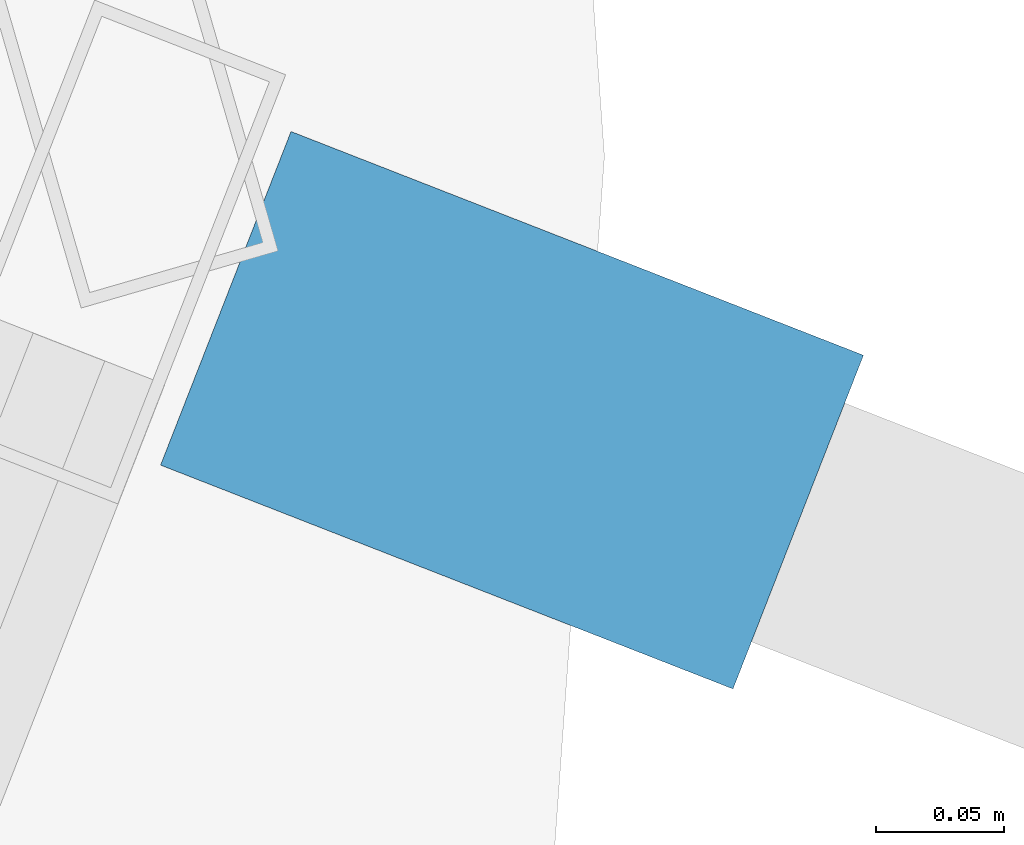
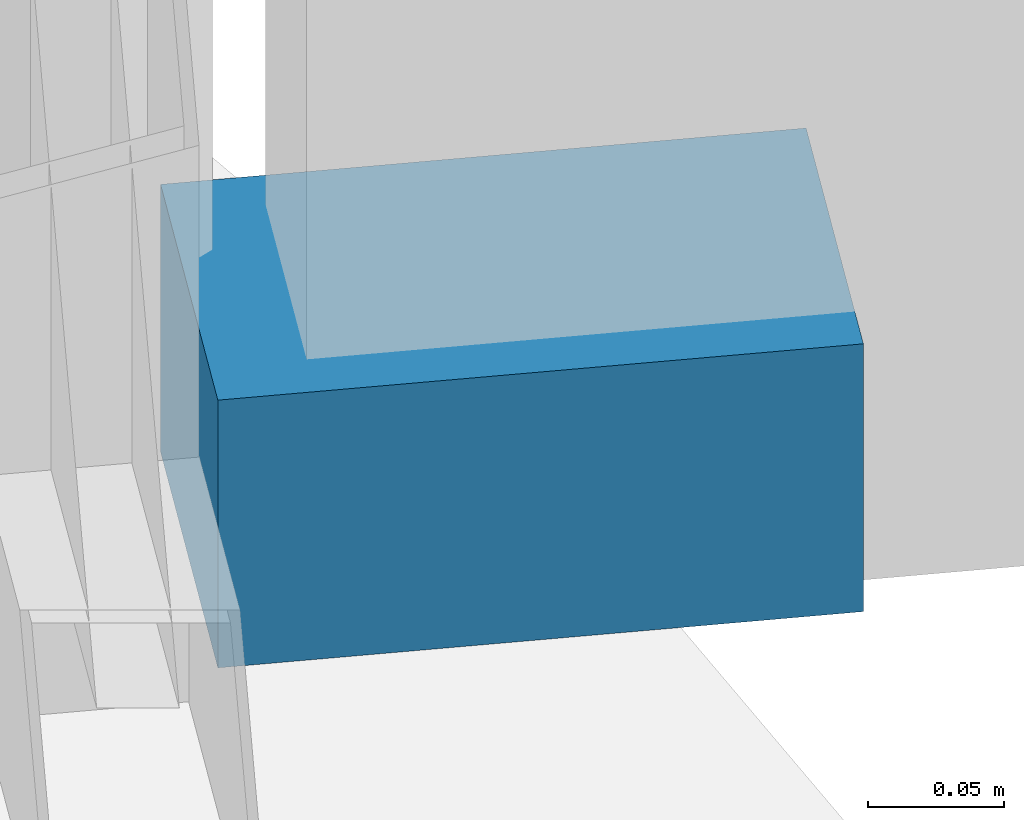
# One storey, part 30 of 34: 1 discrete accessory.
"""IFC4 building model written with IfcOpenShell, lengths in metres."""

from ifc_helpers import new_model, si_unit, direction, frame, origin, origin_2d, place, context, subcontext, project, spatial, rectangle, extrude, material, type_object, element, save


model = new_model("IFC4")

# Units and contexts
model_context = context("Model", 3, precision=1e-05, world=origin(), true_north=direction((0.0, 1.0)))
body_context = subcontext(model_context, "Body", "Model", "MODEL_VIEW")
ifc_project = project(units=[si_unit("LENGTHUNIT", "METRE"), si_unit("AREAUNIT", "SQUARE_METRE"), si_unit("VOLUMEUNIT", "CUBIC_METRE"), si_unit("PLANEANGLEUNIT", "RADIAN"), si_unit("MASSUNIT", "GRAM", prefix="KILO")], contexts=[model_context])

# Site, building, storey
site_placement = place(None, origin())
site = spatial("IfcSite", under=ifc_project, at=site_placement, CompositionType="ELEMENT")
building_placement = place(site_placement, origin())
building = spatial("IfcBuilding", under=site, at=building_placement, Name="Kazevale Care Tower and Concert Hall", CompositionType="ELEMENT")
storey_placement = place(building_placement, frame((0.0, 0.0, 174.60009765625)))
storey = spatial("IfcBuildingStorey", under=building, at=storey_placement, Name="L46", CompositionType="ELEMENT", Elevation=174.60009765625)

# Discrete accessory
ifc_material = material(Name="Stainless Steel 316", Category="steel")
discrete_accessory_type = type_object("IfcDiscreteAccessoryType", Name="Facade Fin Stainless Anchor Bracket BRK-1", PredefinedType="BRACKET", material=ifc_material)
discrete_accessory_placement = place(storey_placement, frame((79.36376953125, 37.90087890625, -0.000244140625), z_axis=(0.0, 0.0, 1.0), x_axis=(0.931373876365, -0.364064146031, 0.0)))
element("IfcDiscreteAccessory", 1, at=discrete_accessory_placement, inside=storey, type_object=discrete_accessory_type, Name="cw:L46:f01:brk", PredefinedType="BRACKET", context=body_context, shape_type="SweptSolid", body=[
    extrude(rectangle(XDim=0.239990234375, YDim=0.139892578125, at=origin_2d()), origin(), (0.0, 0.0, 1.0), 0.1201171875),
])

save(model, "model.ifc")
